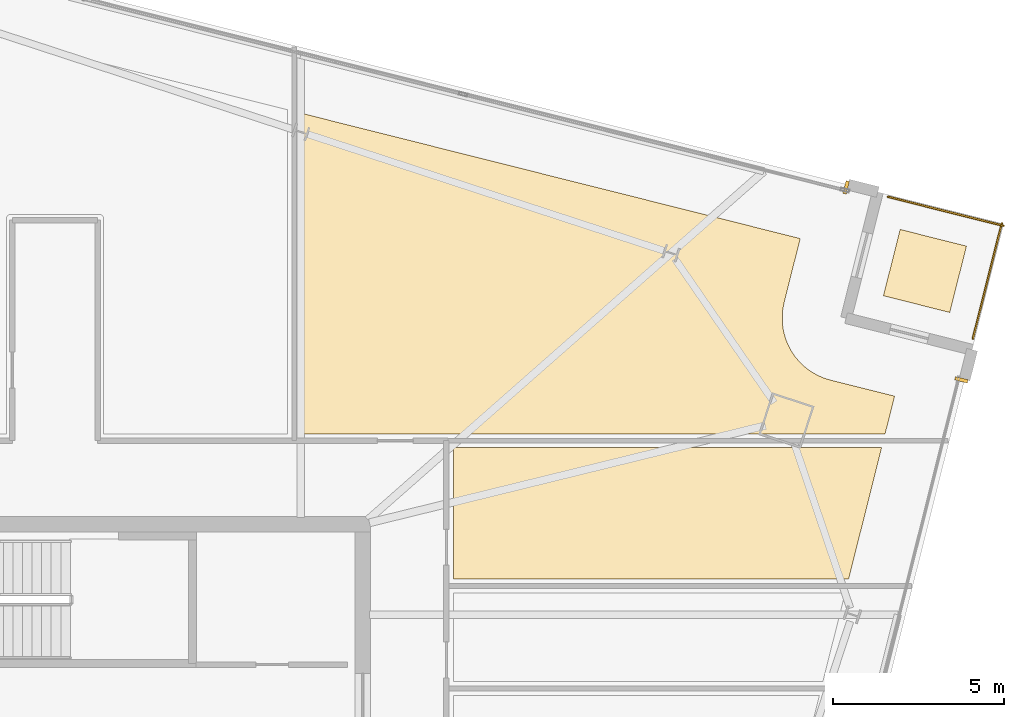
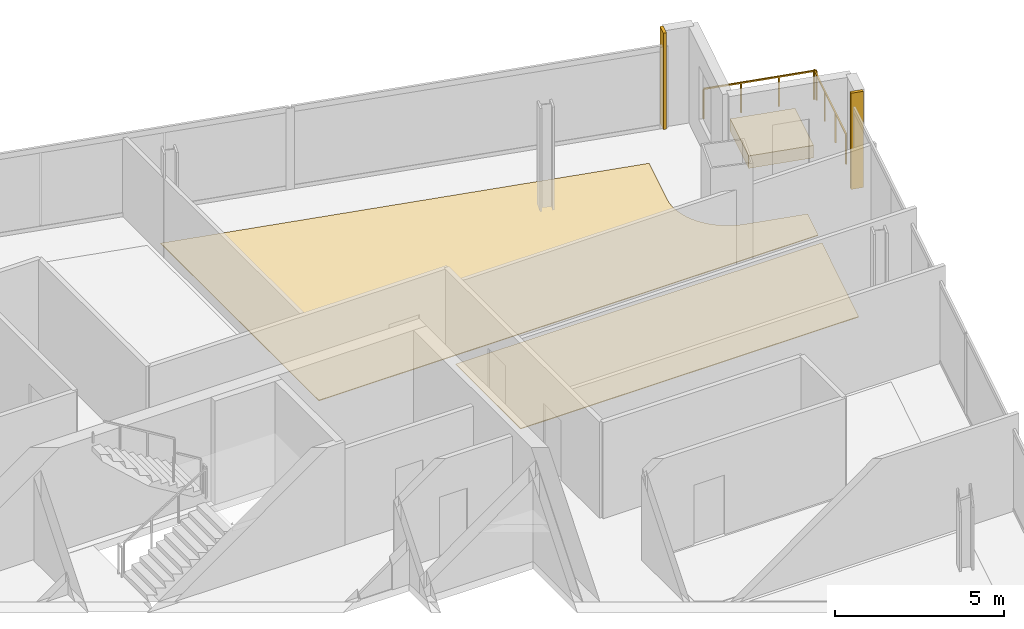
# One storey, part 28 of 28: 5 coverings, 2 railings.
"""IFC4 building model written with IfcOpenShell, lengths in metres."""

import ifcopenshell
import ifcopenshell.guid

model = None  # the IFC model being written
_history = None  # IfcOwnerHistory: only IFC2X3 demands one
_inside = {}  # id of a spatial element -> (the spatial element, [elements in it])
_under = {}  # id of a project, library or spatial element -> (it, [spatial elements below it])
_declared = {}  # id of a project -> (the project, [libraries it declares])
_typed = {}  # id of a type object -> (the type object, [elements of that type])
_made_of = {}  # id of a material, layer set ... -> (it, [elements and type objects made of it])


def new_model(schema):
    """Start an empty IFC model of exactly this schema.

    Asked for "IFC4X3", IfcOpenShell would pick the latest addendum, in which some entities
    have other attributes; the version numbers below select the first issue.
    IFC2X3 requires an IfcOwnerHistory on every rooted entity: one is made here for all.
    """
    global model, _history
    if schema == "IFC4X3":
        model = ifcopenshell.file(schema_version=(4, 3, 0, 0))
    else:
        model = ifcopenshell.file(schema=schema)
    _inside.clear()
    _under.clear()
    _declared.clear()
    _typed.clear()
    _made_of.clear()
    _history = None
    if model.schema == "IFC2X3":
        org = make("IfcOrganization", Name="unknown")
        user = make(
            "IfcPersonAndOrganization",
            ThePerson=make("IfcPerson", FamilyName="unknown"),
            TheOrganization=org,
        )
        app = make(
            "IfcApplication",
            ApplicationDeveloper=org,
            Version="unknown",
            ApplicationFullName="unknown",
            ApplicationIdentifier="unknown",
        )
        _history = make(
            "IfcOwnerHistory",
            OwningUser=user,
            OwningApplication=app,
            ChangeAction="ADDED",
            CreationDate=0,
        )
    return model


def make(cls, **values):
    """One entity of the class cls with the attributes given. An attribute that is None is left unset."""
    return model.create_entity(
        cls, **{name: value for name, value in values.items() if value is not None}
    )


def rooted(cls, **values):
    """An entity with a GlobalId (a new one), such as an element, a storey or a relation."""
    return make(cls, GlobalId=ifcopenshell.guid.new(), OwnerHistory=_history, **values)


def si_unit(unit_type, name, prefix=None):
    """IfcSIUnit, for example si_unit("LENGTHUNIT", "METRE", prefix="MILLI")."""
    return make("IfcSIUnit", UnitType=unit_type, Prefix=prefix, Name=name)


def assignment(units):
    """IfcUnitAssignment: the units of a project."""
    return None if units is None else make("IfcUnitAssignment", Units=units)


def point(xyz):
    """IfcCartesianPoint."""
    return None if xyz is None else make("IfcCartesianPoint", Coordinates=xyz)


def direction(xyz):
    """IfcDirection."""
    return None if xyz is None else make("IfcDirection", DirectionRatios=xyz)


def frame(location, z_axis=None, x_axis=None):
    """IfcAxis2Placement3D, a coordinate frame: its origin and axes. An axis left out is left unset."""
    return make(
        "IfcAxis2Placement3D",
        Location=point(location),
        Axis=direction(z_axis),
        RefDirection=direction(x_axis),
    )


def frame_2d(location, x_axis=None):
    """IfcAxis2Placement2D, a coordinate frame in the plane: its origin and x axis."""
    return make(
        "IfcAxis2Placement2D", Location=point(location), RefDirection=direction(x_axis)
    )


def origin():
    """The frame at (0, 0, 0) with its axes left unset."""
    return frame((0.0, 0.0, 0.0))


def origin_2d():
    """The frame at (0, 0) in the plane with its x axis left unset."""
    return frame_2d((0.0, 0.0))


def place(relative_to, where):
    """IfcLocalPlacement: puts the frame where relative to a parent placement (None: the world)."""
    return make(
        "IfcLocalPlacement", PlacementRelTo=relative_to, RelativePlacement=where
    )


def context(
    kind, dimensions, precision=None, world=None, true_north=None, identifier=None
):
    """IfcGeometricRepresentationContext, for example the 3D "Model" context."""
    return make(
        "IfcGeometricRepresentationContext",
        ContextIdentifier=identifier,
        ContextType=kind,
        CoordinateSpaceDimension=dimensions,
        Precision=precision,
        WorldCoordinateSystem=world,
        TrueNorth=true_north,
    )


def subcontext(parent, identifier, kind, view, scale=None):
    """IfcGeometricRepresentationSubContext, for example "Body" below "Model"."""
    return make(
        "IfcGeometricRepresentationSubContext",
        ContextIdentifier=identifier,
        ContextType=kind,
        ParentContext=parent,
        TargetScale=scale,
        TargetView=view,
    )


def project(units=None, contexts=None):
    """IfcProject with its units and contexts."""
    return rooted(
        "IfcProject",
        Name="project",
        RepresentationContexts=contexts,
        UnitsInContext=assignment(units),
    )


def spatial(cls, under=None, at=None, **own):
    """A site, building, storey or space (cls), placed at a placement, below another one or the project."""
    s = rooted(cls, ObjectPlacement=at, **own)
    if under is not None:
        _under.setdefault(under.id(), (under, []))[1].append(s)
    return s


def polyline(points):
    """IfcPolyline through the points."""
    return make("IfcPolyline", Points=[point(p) for p in points])


def profile(cls, at=None, kind="AREA", **sizes):
    """A parametric profile (cls). Its sizes go by their IFC names, for example OverallWidth=200.0."""
    return make(cls, ProfileType=kind, Position=at, **sizes)


def rectangle(**sizes):
    """IfcRectangleProfileDef."""
    return profile("IfcRectangleProfileDef", **sizes)


def outline(outer, holes=None, kind="AREA"):
    """IfcArbitraryClosedProfileDef: a profile drawn as a closed curve; with holes, ...WithVoids."""
    if holes is None:
        return make("IfcArbitraryClosedProfileDef", ProfileType=kind, OuterCurve=outer)
    return make(
        "IfcArbitraryProfileDefWithVoids",
        ProfileType=kind,
        OuterCurve=outer,
        InnerCurves=holes,
    )


def extrude(swept, where, along, depth):
    """IfcExtrudedAreaSolid: the profile swept, set in the frame where, extruded along a direction by depth."""
    return make(
        "IfcExtrudedAreaSolid",
        SweptArea=swept,
        Position=where,
        ExtrudedDirection=direction(along),
        Depth=depth,
    )


def shape(context_of_items, identifier, shape_type, items):
    """IfcShapeRepresentation: the items that make up one representation, for example the "Body"."""
    return make(
        "IfcShapeRepresentation",
        ContextOfItems=context_of_items,
        RepresentationIdentifier=identifier,
        RepresentationType=shape_type,
        Items=items,
    )


def source(mapping_origin, context_of_items, identifier, shape_type, items):
    """IfcRepresentationMap: a shape defined once, which mapped items show again and again."""
    return make(
        "IfcRepresentationMap",
        MappingOrigin=mapping_origin,
        MappedRepresentation=shape(context_of_items, identifier, shape_type, items),
    )


def transform(
    local_origin,
    x_axis=None,
    y_axis=None,
    z_axis=None,
    scale=None,
    scale2=None,
    scale3=None,
    uniform=True,
):
    """IfcCartesianTransformationOperator3D, or its non-uniform kind. x_axis, y_axis, z_axis: its Axis1, 2, 3."""
    if uniform:
        return make(
            "IfcCartesianTransformationOperator3D",
            Axis1=direction(x_axis),
            Axis2=direction(y_axis),
            LocalOrigin=point(local_origin),
            Scale=scale,
            Axis3=direction(z_axis),
        )
    return make(
        "IfcCartesianTransformationOperator3DnonUniform",
        Axis1=direction(x_axis),
        Axis2=direction(y_axis),
        LocalOrigin=point(local_origin),
        Scale=scale,
        Axis3=direction(z_axis),
        Scale2=scale2,
        Scale3=scale3,
    )


def mapped(mapping_source, mapping_target):
    """IfcMappedItem: shows the shape of a source again, moved by a transform."""
    return make(
        "IfcMappedItem", MappingSource=mapping_source, MappingTarget=mapping_target
    )


def material(Name=None, Category=None):
    """IfcMaterial."""
    return make("IfcMaterial", Name=Name, Category=Category)


def layer(
    of_material, thickness, ventilated=None, Name=None, Category=None, Priority=None
):
    """IfcMaterialLayer: one layer of a wall or slab, of a material (None: an air gap)."""
    return make(
        "IfcMaterialLayer",
        Material=of_material,
        LayerThickness=thickness,
        IsVentilated=ventilated,
        Name=Name,
        Category=Category,
        Priority=Priority,
    )


def layer_set(layers, Name=None):
    """IfcMaterialLayerSet."""
    return make("IfcMaterialLayerSet", MaterialLayers=layers, LayerSetName=Name)


def made_of(thing, what):
    """Note that an element or type object is made of a material, layer set ...; save() writes the relation."""
    if what is not None:
        _made_of.setdefault(what.id(), (what, []))[1].append(thing)
    return thing


def type_object(cls, material=None, **own):
    """A type object (cls), such as IfcWallType, which elements share."""
    return made_of(rooted(cls, **own), material)


def element(
    cls,
    number,
    at=None,
    inside=None,
    cuts=None,
    type_object=None,
    material=None,
    context=None,
    identifier="Body",
    shape_type=None,
    held_by="IfcProductDefinitionShape",
    body=None,
    shapes=None,
    **own,
):
    """One element of the class cls, such as IfcWall. Its Tag is "e" and its number.

    at: its placement. inside: the storey or other place that contains it. cuts: it is an
    opening in that element (IfcRelVoidsElement). A single representation is given by context,
    identifier, shape_type and body (its items); several are given by shapes. held_by: the class
    of the entity that holds the representations. save() writes the other relations.
    """
    e = rooted(cls, Tag="e%d" % number, ObjectPlacement=at, **own)
    if body is not None:
        shapes = [shape(context, identifier, shape_type, body)]
    if shapes is not None:
        e.Representation = make(held_by, Representations=shapes)
    if inside is not None:
        _inside.setdefault(inside.id(), (inside, []))[1].append(e)
    if cuts is not None:
        rooted(
            "IfcRelVoidsElement", RelatingBuildingElement=cuts, RelatedOpeningElement=e
        )
    if type_object is not None:
        _typed.setdefault(type_object.id(), (type_object, []))[1].append(e)
    return made_of(e, material)


def aggregate(whole, parts):
    """IfcRelAggregates: a whole, such as a stair, and the parts it consists of."""
    return rooted("IfcRelAggregates", RelatingObject=whole, RelatedObjects=parts)


def save(model, path):
    """Write the relations noted so far, then the file.

    IfcRelAggregates (storeys below a building ...), IfcRelContainedInSpatialStructure (elements
    in a storey), IfcRelDefinesByType, IfcRelAssociatesMaterial and IfcRelDeclares: one each for
    every whole, place, type object, material and project.
    """
    for whole, parts in _under.values():
        aggregate(whole, parts)
    for where, things in _inside.values():
        rooted(
            "IfcRelContainedInSpatialStructure",
            RelatedElements=things,
            RelatingStructure=where,
        )
    for kind, things in _typed.values():
        rooted("IfcRelDefinesByType", RelatedObjects=things, RelatingType=kind)
    for what, things in _made_of.values():
        rooted("IfcRelAssociatesMaterial", RelatedObjects=things, RelatingMaterial=what)
    for by, libraries in _declared.values():
        rooted("IfcRelDeclares", RelatingContext=by, RelatedDefinitions=libraries)
    model.write(path)


model = new_model("IFC4")

# Units and contexts
model_context = context("Model", 3, precision=1e-05, world=origin(), true_north=direction((0.0, 1.0)))
body_context = subcontext(model_context, "Body", "Model", "MODEL_VIEW")
ifc_project = project(units=[si_unit("LENGTHUNIT", "METRE"), si_unit("AREAUNIT", "SQUARE_METRE"), si_unit("VOLUMEUNIT", "CUBIC_METRE"), si_unit("PLANEANGLEUNIT", "RADIAN"), si_unit("MASSUNIT", "GRAM", prefix="KILO")], contexts=[model_context])

# Site, building, storey
site_placement = place(None, origin())
site = spatial("IfcSite", under=ifc_project, at=site_placement, CompositionType="ELEMENT")
building_placement = place(site_placement, origin())
building = spatial("IfcBuilding", under=site, at=building_placement, Name="Haldenkirk Collegiate Tower", CompositionType="ELEMENT")
storey_placement = place(building_placement, frame((0.0, 0.0, 282.449951171875)))
storey = spatial("IfcBuildingStorey", under=building, at=storey_placement, Name="L71", CompositionType="ELEMENT", Elevation=282.449951171875)

# Coverings
ifc_material_1 = material(Name="Polished collegiate terrazzo", Category="concrete")
ifc_layer_1 = layer(ifc_material_1, 0.02490234375)
ifc_layer_set_1 = layer_set([ifc_layer_1], Name="Polished collegiate terrazzo")
covering_type_1 = type_object("IfcCoveringType", Name="COV-FLOOR-TERRAZZO", PredefinedType="FLOORING", material=ifc_layer_set_1)
covering_1_placement = place(storey_placement, origin())
element("IfcCovering", 1, at=covering_1_placement, inside=storey, type_object=covering_type_1, Name="L71 academic room finish 04", PredefinedType="FLOORING", context=body_context, shape_type="SweptSolid", body=[
    extrude(outline(polyline([(57.7978515625, 42.362548828125), (57.32763671875, 40.49072265625), (57.326416015625, 40.485107421875), (57.292724609375, 40.316650390625), (57.291015625, 40.304931640625), (57.274169921875, 40.134033203125), (57.273681640625, 40.122314453125), (57.2734375, 39.95068359375), (57.274169921875, 39.93896484375), (57.290771484375, 39.76806640625), (57.29248046875, 39.75634765625), (57.325927734375, 39.587890625), (57.32861328125, 39.576416015625), (57.37841796875, 39.412109375), (57.38232421875, 39.40087890625), (57.447998046875, 39.2421875), (57.452880859375, 39.231689453125), (57.533935546875, 39.080078125), (57.5400390625, 39.070068359375), (57.63525390625, 38.92724609375), (57.642333984375, 38.917724609375), (57.751220703125, 38.784912109375), (57.759033203125, 38.776123046875), (57.88037109375, 38.654541015625), (57.88916015625, 38.646728515625), (58.021728515625, 38.53759765625), (58.03125, 38.53076171875), (58.174072265625, 38.435302734375), (58.18408203125, 38.42919921875), (58.33544921875, 38.347900390625), (58.34619140625, 38.343017578125), (58.504638671875, 38.277099609375), (58.515869140625, 38.273193359375), (58.68017578125, 38.22314453125), (58.685791015625, 38.2216796875), (60.5576171875, 37.75146484375), (60.281005859375, 36.64990234375), (43.199951171875, 36.64990234375), (43.199951171875, 46.029296875), (57.7978515625, 42.362548828125)])), origin(), (0.0, 0.0, 1.0), 0.025146484375),
])
covering_2_placement = place(storey_placement, origin())
element("IfcCovering", 2, at=covering_2_placement, inside=storey, type_object=covering_type_1, Name="L71 academic room finish 12", PredefinedType="FLOORING", context=body_context, shape_type="SweptSolid", body=[
    extrude(outline(polyline([(59.21337890625, 32.39990234375), (47.64990234375, 32.39990234375), (47.64990234375, 36.25), (60.180419921875, 36.25), (59.21337890625, 32.39990234375)])), origin(), (0.0, 0.0, 1.0), 0.025146484375),
])
ifc_material_2 = material(Name="Precast concrete f'c 40 MPa", Category="concrete")
ifc_layer_2 = layer(ifc_material_2, 0.449951171875)
ifc_layer_set_2 = layer_set([ifc_layer_2], Name="Precast concrete f'c 40 MPa")
covering_type_2 = type_object("IfcCoveringType", Name="COV-PLANTER-450", PredefinedType="USERDEFINED", material=ifc_layer_set_2)
covering_3_placement = place(storey_placement, origin())
element("IfcCovering", 3, at=covering_3_placement, inside=storey, type_object=covering_type_2, Name="L71 planted garden planter bed", ObjectType="PLANTER", PredefinedType="USERDEFINED", context=body_context, shape_type="SweptSolid", body=[
    extrude(outline(polyline([(62.17333984375, 40.20166015625), (60.2333984375, 40.68896484375), (60.720703125, 42.628662109375), (62.660400390625, 42.141357421875), (62.17333984375, 40.20166015625)])), origin(), (0.0, 0.0, 1.0), 0.449951171875),
])

# Railings
ifc_material_3 = material(Name="Anodised architectural bronze aluminium", Category="aluminium")
railing_type = type_object("IfcRailingType", Name="RLG-TERR-BALUSTRADE-1100", PredefinedType="BALUSTRADE", material=ifc_material_3)
railing_1_placement = place(storey_placement, frame((62.8466796875, 39.4345703125, 0.0)))
element("IfcRailing", 4, at=railing_1_placement, inside=storey, type_object=railing_type, Name="L71 terrace guard balustrade 1-1", PredefinedType="BALUSTRADE", context=body_context, shape_type="SweptSolid", body=[
    extrude(rectangle(XDim=0.048095703125, YDim=0.048095703125, at=origin_2d()), frame((0.0, 0.0, 1.076171875), z_axis=(0.243657987241, 0.969861219584, 0.0), x_axis=(-0.969861219584, 0.243657987241, 0.0)), (0.0, 0.0, 1.0), 3.47998046875),
    extrude(rectangle(XDim=0.0419921875, YDim=0.0419921875, at=origin_2d()), origin(), (0.0, 0.0, 1.0), 1.052001953125),
    extrude(rectangle(XDim=0.0419921875, YDim=0.0419921875, at=origin_2d()), frame((0.28271484375, 1.125, 0.0)), (0.0, 0.0, 1.0), 1.052001953125),
    extrude(rectangle(XDim=0.0419921875, YDim=0.0419921875, at=origin_2d()), frame((0.565185546875, 2.25, 0.0)), (0.0, 0.0, 1.0), 1.052001953125),
    extrude(rectangle(XDim=0.0419921875, YDim=0.0419921875, at=origin_2d()), frame((0.847900390625, 3.375, 0.0)), (0.0, 0.0, 1.0), 1.052001953125),
])
railing_2_placement = place(storey_placement, frame((63.738037109375, 42.73681640625, 0.0)))
element("IfcRailing", 5, at=railing_2_placement, inside=storey, type_object=railing_type, Name="L71 terrace guard balustrade 2-1", PredefinedType="BALUSTRADE", context=body_context, shape_type="SweptSolid", body=[
    extrude(rectangle(XDim=0.048095703125, YDim=0.048095703125, at=origin_2d()), frame((0.0, 0.0, 1.076171875), z_axis=(-0.969865384372, 0.243641409036, 0.0), x_axis=(-0.243641409036, -0.969865384372, 0.0)), (0.0, 0.0, 1.0), 3.480224609375),
    extrude(rectangle(XDim=0.0419921875, YDim=0.0419921875, at=origin_2d()), origin(), (0.0, 0.0, 1.0), 1.052001953125),
    extrude(rectangle(XDim=0.0419921875, YDim=0.0419921875, at=origin_2d()), frame((-1.125, 0.28271484375, 0.0)), (0.0, 0.0, 1.0), 1.052001953125),
    extrude(rectangle(XDim=0.0419921875, YDim=0.0419921875, at=origin_2d()), frame((-2.250244140625, 0.565185546875, 0.0)), (0.0, 0.0, 1.0), 1.052001953125),
    extrude(rectangle(XDim=0.0419921875, YDim=0.0419921875, at=origin_2d()), frame((-3.375244140625, 0.847900390625, 0.0)), (0.0, 0.0, 1.0), 1.052001953125),
])

# Coverings
ifc_layer_3 = layer(ifc_material_3, 0.06005859375)
ifc_layer_set_3 = layer_set([ifc_layer_3], Name="Anodised architectural bronze aluminium")
covering_type_3 = type_object("IfcCoveringType", Name="COV-CLAD-BRONZE-60", PredefinedType="CLADDING", material=ifc_layer_set_3)
shared_shape = source(origin(), body_context, "Body", "SweptSolid", [
    extrude(rectangle(XDim=0.10009765625, YDim=0.3798828125, at=origin_2d()), origin(), (0.0, 0.0, 1.0), 3.47998046875),
])
for number, where, z_axis, x_axis, name in (
    (6, (62.512939453125, 38.2294921875, 0.0), (0.0, 0.0, 1.0), (-0.243615011786, -0.969872015285, 0.0), "L71 recessed curtain-wall bronze jamb closure SJL"),
    (7, (59.143310546875, 43.860107421875, 0.0), (0.0, 0.0, 1.0), (0.969872015285, -0.243615011786, 0.0), "L71 recessed curtain-wall bronze jamb closure EJR"),
):
    element("IfcCovering", number, at=place(storey_placement, frame(where, z_axis=z_axis, x_axis=x_axis)), inside=storey, type_object=covering_type_3, Name=name, PredefinedType="CLADDING", context=body_context, shape_type="MappedRepresentation", body=[
        mapped(shared_shape, transform((0.0, 0.0, 0.0), x_axis=(1.0, 0.0, 0.0), y_axis=(0.0, 1.0, 0.0), z_axis=(0.0, 0.0, 1.0), scale=1.0)),
    ])

save(model, "model.ifc")
